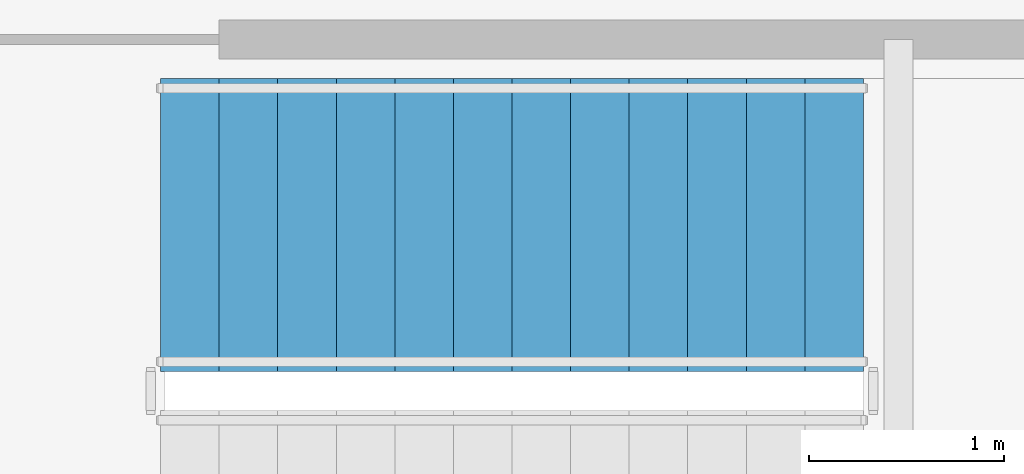
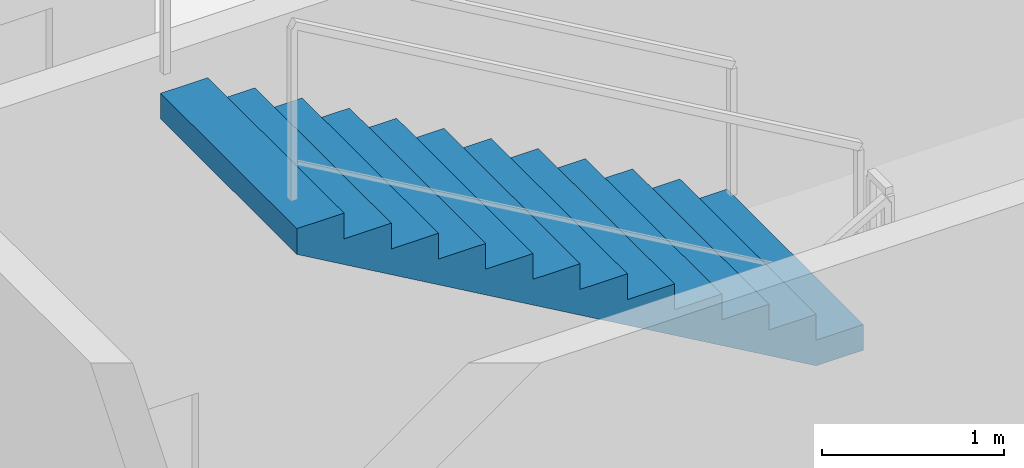
# One storey, part 12 of 16: 1 stair flight, 1 element without a shape of its own.
"""IFC4 building model written with IfcOpenShell, lengths in metres."""

import ifcopenshell
import ifcopenshell.guid

model = None  # the IFC model being written
_history = None  # IfcOwnerHistory: only IFC2X3 demands one
_inside = {}  # id of a spatial element -> (the spatial element, [elements in it])
_under = {}  # id of a project, library or spatial element -> (it, [spatial elements below it])
_declared = {}  # id of a project -> (the project, [libraries it declares])
_typed = {}  # id of a type object -> (the type object, [elements of that type])
_made_of = {}  # id of a material, layer set ... -> (it, [elements and type objects made of it])


def new_model(schema):
    """Start an empty IFC model of exactly this schema.

    Asked for "IFC4X3", IfcOpenShell would pick the latest addendum, in which some entities
    have other attributes; the version numbers below select the first issue.
    IFC2X3 requires an IfcOwnerHistory on every rooted entity: one is made here for all.
    """
    global model, _history
    if schema == "IFC4X3":
        model = ifcopenshell.file(schema_version=(4, 3, 0, 0))
    else:
        model = ifcopenshell.file(schema=schema)
    _inside.clear()
    _under.clear()
    _declared.clear()
    _typed.clear()
    _made_of.clear()
    _history = None
    if model.schema == "IFC2X3":
        org = make("IfcOrganization", Name="unknown")
        user = make(
            "IfcPersonAndOrganization",
            ThePerson=make("IfcPerson", FamilyName="unknown"),
            TheOrganization=org,
        )
        app = make(
            "IfcApplication",
            ApplicationDeveloper=org,
            Version="unknown",
            ApplicationFullName="unknown",
            ApplicationIdentifier="unknown",
        )
        _history = make(
            "IfcOwnerHistory",
            OwningUser=user,
            OwningApplication=app,
            ChangeAction="ADDED",
            CreationDate=0,
        )
    return model


def make(cls, **values):
    """One entity of the class cls with the attributes given. An attribute that is None is left unset."""
    return model.create_entity(
        cls, **{name: value for name, value in values.items() if value is not None}
    )


def rooted(cls, **values):
    """An entity with a GlobalId (a new one), such as an element, a storey or a relation."""
    return make(cls, GlobalId=ifcopenshell.guid.new(), OwnerHistory=_history, **values)


def si_unit(unit_type, name, prefix=None):
    """IfcSIUnit, for example si_unit("LENGTHUNIT", "METRE", prefix="MILLI")."""
    return make("IfcSIUnit", UnitType=unit_type, Prefix=prefix, Name=name)


def assignment(units):
    """IfcUnitAssignment: the units of a project."""
    return None if units is None else make("IfcUnitAssignment", Units=units)


def point(xyz):
    """IfcCartesianPoint."""
    return None if xyz is None else make("IfcCartesianPoint", Coordinates=xyz)


def direction(xyz):
    """IfcDirection."""
    return None if xyz is None else make("IfcDirection", DirectionRatios=xyz)


def frame(location, z_axis=None, x_axis=None):
    """IfcAxis2Placement3D, a coordinate frame: its origin and axes. An axis left out is left unset."""
    return make(
        "IfcAxis2Placement3D",
        Location=point(location),
        Axis=direction(z_axis),
        RefDirection=direction(x_axis),
    )


def origin():
    """The frame at (0, 0, 0) with its axes left unset."""
    return frame((0.0, 0.0, 0.0))


def place(relative_to, where):
    """IfcLocalPlacement: puts the frame where relative to a parent placement (None: the world)."""
    return make(
        "IfcLocalPlacement", PlacementRelTo=relative_to, RelativePlacement=where
    )


def context(
    kind, dimensions, precision=None, world=None, true_north=None, identifier=None
):
    """IfcGeometricRepresentationContext, for example the 3D "Model" context."""
    return make(
        "IfcGeometricRepresentationContext",
        ContextIdentifier=identifier,
        ContextType=kind,
        CoordinateSpaceDimension=dimensions,
        Precision=precision,
        WorldCoordinateSystem=world,
        TrueNorth=true_north,
    )


def subcontext(parent, identifier, kind, view, scale=None):
    """IfcGeometricRepresentationSubContext, for example "Body" below "Model"."""
    return make(
        "IfcGeometricRepresentationSubContext",
        ContextIdentifier=identifier,
        ContextType=kind,
        ParentContext=parent,
        TargetScale=scale,
        TargetView=view,
    )


def project(units=None, contexts=None):
    """IfcProject with its units and contexts."""
    return rooted(
        "IfcProject",
        Name="project",
        RepresentationContexts=contexts,
        UnitsInContext=assignment(units),
    )


def spatial(cls, under=None, at=None, **own):
    """A site, building, storey or space (cls), placed at a placement, below another one or the project."""
    s = rooted(cls, ObjectPlacement=at, **own)
    if under is not None:
        _under.setdefault(under.id(), (under, []))[1].append(s)
    return s


def polyline(points):
    """IfcPolyline through the points."""
    return make("IfcPolyline", Points=[point(p) for p in points])


def outline(outer, holes=None, kind="AREA"):
    """IfcArbitraryClosedProfileDef: a profile drawn as a closed curve; with holes, ...WithVoids."""
    if holes is None:
        return make("IfcArbitraryClosedProfileDef", ProfileType=kind, OuterCurve=outer)
    return make(
        "IfcArbitraryProfileDefWithVoids",
        ProfileType=kind,
        OuterCurve=outer,
        InnerCurves=holes,
    )


def extrude(swept, where, along, depth):
    """IfcExtrudedAreaSolid: the profile swept, set in the frame where, extruded along a direction by depth."""
    return make(
        "IfcExtrudedAreaSolid",
        SweptArea=swept,
        Position=where,
        ExtrudedDirection=direction(along),
        Depth=depth,
    )


def shape(context_of_items, identifier, shape_type, items):
    """IfcShapeRepresentation: the items that make up one representation, for example the "Body"."""
    return make(
        "IfcShapeRepresentation",
        ContextOfItems=context_of_items,
        RepresentationIdentifier=identifier,
        RepresentationType=shape_type,
        Items=items,
    )


def material(Name=None, Category=None):
    """IfcMaterial."""
    return make("IfcMaterial", Name=Name, Category=Category)


def made_of(thing, what):
    """Note that an element or type object is made of a material, layer set ...; save() writes the relation."""
    if what is not None:
        _made_of.setdefault(what.id(), (what, []))[1].append(thing)
    return thing


def type_object(cls, material=None, **own):
    """A type object (cls), such as IfcWallType, which elements share."""
    return made_of(rooted(cls, **own), material)


def element(
    cls,
    number,
    at=None,
    inside=None,
    cuts=None,
    type_object=None,
    material=None,
    context=None,
    identifier="Body",
    shape_type=None,
    held_by="IfcProductDefinitionShape",
    body=None,
    shapes=None,
    **own,
):
    """One element of the class cls, such as IfcWall. Its Tag is "e" and its number.

    at: its placement. inside: the storey or other place that contains it. cuts: it is an
    opening in that element (IfcRelVoidsElement). A single representation is given by context,
    identifier, shape_type and body (its items); several are given by shapes. held_by: the class
    of the entity that holds the representations. save() writes the other relations.
    """
    e = rooted(cls, Tag="e%d" % number, ObjectPlacement=at, **own)
    if body is not None:
        shapes = [shape(context, identifier, shape_type, body)]
    if shapes is not None:
        e.Representation = make(held_by, Representations=shapes)
    if inside is not None:
        _inside.setdefault(inside.id(), (inside, []))[1].append(e)
    if cuts is not None:
        rooted(
            "IfcRelVoidsElement", RelatingBuildingElement=cuts, RelatedOpeningElement=e
        )
    if type_object is not None:
        _typed.setdefault(type_object.id(), (type_object, []))[1].append(e)
    return made_of(e, material)


def aggregate(whole, parts):
    """IfcRelAggregates: a whole, such as a stair, and the parts it consists of."""
    return rooted("IfcRelAggregates", RelatingObject=whole, RelatedObjects=parts)


def save(model, path):
    """Write the relations noted so far, then the file.

    IfcRelAggregates (storeys below a building ...), IfcRelContainedInSpatialStructure (elements
    in a storey), IfcRelDefinesByType, IfcRelAssociatesMaterial and IfcRelDeclares: one each for
    every whole, place, type object, material and project.
    """
    for whole, parts in _under.values():
        aggregate(whole, parts)
    for where, things in _inside.values():
        rooted(
            "IfcRelContainedInSpatialStructure",
            RelatedElements=things,
            RelatingStructure=where,
        )
    for kind, things in _typed.values():
        rooted("IfcRelDefinesByType", RelatedObjects=things, RelatingType=kind)
    for what, things in _made_of.values():
        rooted("IfcRelAssociatesMaterial", RelatedObjects=things, RelatingMaterial=what)
    for by, libraries in _declared.values():
        rooted("IfcRelDeclares", RelatingContext=by, RelatedDefinitions=libraries)
    model.write(path)


model = new_model("IFC4")

# Units and contexts
model_context = context("Model", 3, precision=1e-05, world=origin(), true_north=direction((0.0, 1.0)))
body_context = subcontext(model_context, "Body", "Model", "MODEL_VIEW")
ifc_project = project(units=[si_unit("LENGTHUNIT", "METRE"), si_unit("AREAUNIT", "SQUARE_METRE"), si_unit("VOLUMEUNIT", "CUBIC_METRE"), si_unit("PLANEANGLEUNIT", "RADIAN"), si_unit("MASSUNIT", "GRAM", prefix="KILO")], contexts=[model_context])

# Site, building, storey
site_placement = place(None, origin())
site = spatial("IfcSite", under=ifc_project, at=site_placement, CompositionType="ELEMENT")
building_placement = place(site_placement, origin())
building = spatial("IfcBuilding", under=site, at=building_placement, Name="Svetorya Sky Lyceum", CompositionType="ELEMENT")
storey_placement = place(building_placement, frame((0.0, 0.0, 11.10009765625)))
storey = spatial("IfcBuildingStorey", under=building, at=storey_placement, Name="L02", CompositionType="ELEMENT", Elevation=11.10009765625)

# Stair, stair flight
ifc_material = material(Name="Concrete C40/50", Category="concrete")
stair_type = type_object("IfcStairType", Name="STR-ST-SCH-E", PredefinedType="HALF_TURN_STAIR", material=ifc_material)
stair_placement = place(storey_placement, origin())
stair = element("IfcStair", 1, at=stair_placement, inside=storey, type_object=stair_type, Name="L02 East Lyceum Podium Dedicated Stair", PredefinedType="HALF_TURN_STAIR")
stair_flight_type = type_object("IfcStairFlightType", Name="SFL-ST-SCH-E", PredefinedType="STRAIGHT", material=ifc_material)
stair_flight_placement = place(storey_placement, frame((71.85009765625, 25.25, 2.25), z_axis=(0.0, 0.0, 1.0), x_axis=(-1.0, 0.0, 0.0)))
stair_flight = element("IfcStairFlight", 2, at=stair_flight_placement, type_object=stair_flight_type, Name="ST-SCH-E flight 2", NumberOfRisers=13, NumberOfTreads=12, PredefinedType="STRAIGHT", RiserHeight=0.173076923, TreadLength=0.3, context=body_context, shape_type="SweptSolid", body=[
    extrude(outline(polyline([(0.0, 0.0), (0.0, 0.173095703125), (0.300048828125, 0.173095703125), (0.300048828125, 0.34619140625), (0.60009765625, 0.34619140625), (0.60009765625, 0.519287109375), (0.89990234375, 0.519287109375), (0.89990234375, 0.6923828125), (1.199951171875, 0.6923828125), (1.199951171875, 0.865478515625), (1.5, 0.865478515625), (1.5, 1.03857421875), (1.800048828125, 1.03857421875), (1.800048828125, 1.21142578125), (2.10009765625, 1.21142578125), (2.10009765625, 1.384521484375), (2.39990234375, 1.384521484375), (2.39990234375, 1.5576171875), (2.699951171875, 1.5576171875), (2.699951171875, 1.730712890625), (3.0, 1.730712890625), (3.0, 1.90380859375), (3.300048828125, 1.90380859375), (3.300048828125, 2.076904296875), (3.60009765625, 2.076904296875), (3.60009765625, 2.25), (3.60009765625, 1.90380859375), (0.300048828125, 0.0), (0.0, 0.0)])), frame((0.0, 0.75, 0.0), z_axis=(0.0, -1.0, 0.0), x_axis=(1.0, 0.0, 0.0)), (0.0, 0.0, 1.0), 1.5),
])
aggregate(stair, [stair_flight])

save(model, "model.ifc")
